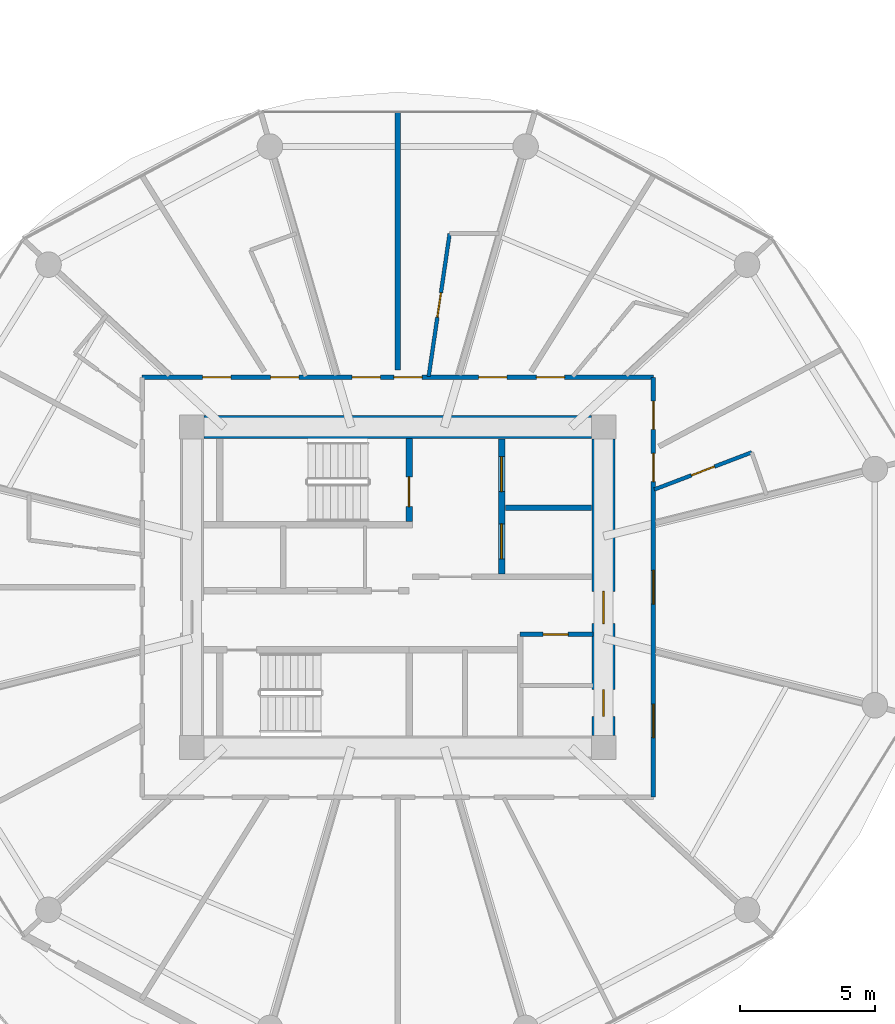
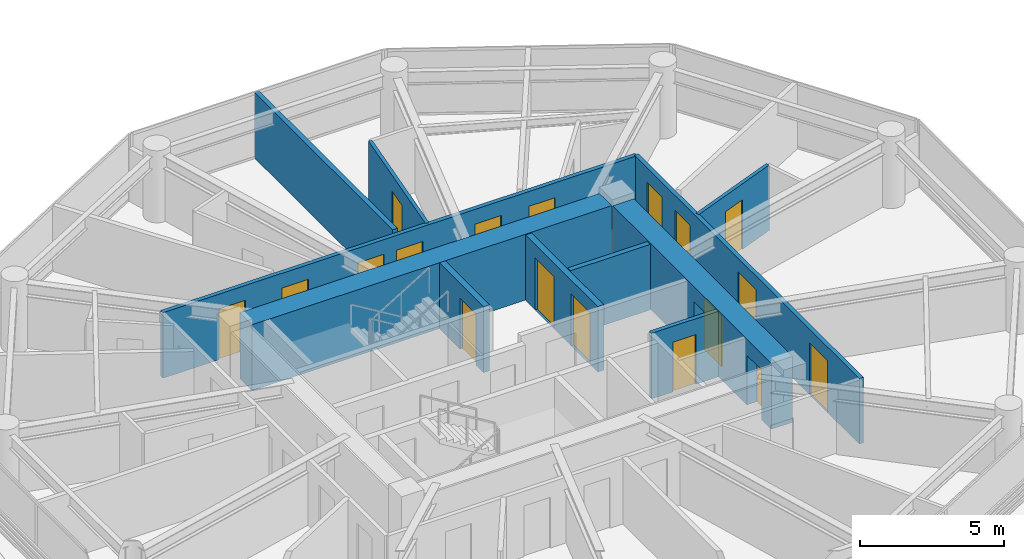
# One storey, part 18 of 28: 18 doors, 11 walls, 18 openings.
"""IFC4 building model written with IfcOpenShell, lengths in metres."""

from ifc_helpers import new_model, si_unit, direction, frame, frame_2d, origin, place, context, subcontext, project, spatial, rectangle, extrude, source, transform, mapped, material, layer, layer_set, type_object, type_shapes, element, fill, save


model = new_model("IFC4")

# Units and contexts
model_context = context("Model", 3, precision=1e-05, world=origin(), true_north=direction((0.0, 1.0)))
body_context = subcontext(model_context, "Body", "Model", "MODEL_VIEW")
ifc_project = project(units=[si_unit("LENGTHUNIT", "METRE"), si_unit("AREAUNIT", "SQUARE_METRE"), si_unit("VOLUMEUNIT", "CUBIC_METRE"), si_unit("PLANEANGLEUNIT", "RADIAN"), si_unit("MASSUNIT", "GRAM", prefix="KILO")], contexts=[model_context])

# Site, building, storey
site_placement = place(None, origin())
site = spatial("IfcSite", under=ifc_project, at=site_placement, CompositionType="ELEMENT")
building_placement = place(site_placement, origin())
building = spatial("IfcBuilding", under=site, at=building_placement, Name="Norrkilde Senior Care Towers", CompositionType="ELEMENT")
storey_placement = place(building_placement, frame((0.0, 0.0, 39.89990234375)))
storey = spatial("IfcBuildingStorey", under=building, at=storey_placement, Name="L11", CompositionType="ELEMENT", Elevation=39.89990234375)

# Wall
ifc_material_1 = material(Name="Concrete C60/75", Category="concrete")
ifc_layer_1 = layer(ifc_material_1, 0.85009765625)
ifc_layer_set_1 = layer_set([ifc_layer_1], Name="Concrete C60/75")
wall_type_1 = type_object("IfcWallType", Name="Core Shear Wall Z1 850", PredefinedType="SHEAR", material=ifc_layer_set_1)
shared_shape_1 = source(origin(), body_context, "Body", "SweptSolid", [
    extrude(rectangle(XDim=14.39990234375, YDim=0.85009765625, at=frame_2d((7.199951171875, 0.0))), origin(), (0.0, 0.0, 1.0), 2.7900390625),
])
wall_1_placement = place(storey_placement, frame((-35.199951171875, 5.949951171875, 0.0), z_axis=(0.0, 0.0, 1.0), x_axis=(1.0, 0.0, 0.0)))
element("IfcWall", 1, at=wall_1_placement, inside=storey, type_object=wall_type_1, Name="L11 Core W North Shear Wall", PredefinedType="SHEAR", context=body_context, shape_type="MappedRepresentation", body=[
    mapped(shared_shape_1, transform((0.0, 0.0, 0.0), x_axis=(1.0, 0.0, 0.0), y_axis=(0.0, 1.0, 0.0), z_axis=(0.0, 0.0, 1.0), scale=1.0)),
])

# Wall, openings, doors
shared_shape_2 = source(origin(), body_context, "Body", "SweptSolid", [
    extrude(rectangle(XDim=11.0, YDim=0.85009765625, at=frame_2d((5.5, 0.0))), origin(), (0.0, 0.0, 1.0), 2.7900390625),
])
type_shapes(wall_type_1, [shared_shape_1, shared_shape_2])
wall_2_placement = place(storey_placement, frame((-20.35009765625, 5.5, 0.0), z_axis=(0.0, 0.0, 1.0), x_axis=(0.0, -1.0, 0.0)))
wall_2 = element("IfcWall", 2, at=wall_2_placement, inside=storey, type_object=wall_type_1, Name="L11 Core W East Shear Wall", PredefinedType="SHEAR", context=body_context, shape_type="MappedRepresentation", body=[
    mapped(shared_shape_2, transform((0.0, 0.0, 0.0), x_axis=(1.0, 0.0, 0.0), y_axis=(0.0, 1.0, 0.0), z_axis=(0.0, 0.0, 1.0), scale=1.0)),
])
opening_1_placement = place(wall_2_placement, frame((5.64990234375, 0.0, 0.0)))
opening_1 = element("IfcOpeningElement", 3, at=opening_1_placement, cuts=wall_2, Name="Opening D-04", PredefinedType="OPENING", context=body_context, shape_type="SweptSolid", body=[
    extrude(rectangle(XDim=1.199951171875, YDim=2.14990234375, at=frame_2d((0.60009765625, 1.074951171875))), frame((0.0, 0.43505859375, 0.0), z_axis=(0.0, -1.0, 0.0), x_axis=(1.0, 0.0, 0.0)), (0.0, 0.0, 1.0), 0.8701171875),
])
opening_2_placement = place(wall_2_placement, frame((9.300048828125, 0.0, 0.0)))
opening_2 = element("IfcOpeningElement", 4, at=opening_2_placement, cuts=wall_2, Name="Opening D-10", PredefinedType="OPENING", context=body_context, shape_type="SweptSolid", body=[
    extrude(rectangle(XDim=1.0, YDim=2.10009765625, at=frame_2d((0.5, 1.050048828125))), frame((0.0, 0.43505859375, 0.0), z_axis=(0.0, -1.0, 0.0), x_axis=(1.0, 0.0, 0.0)), (0.0, 0.0, 1.0), 0.8701171875),
])
ifc_material_2 = material(Name="Galvanised Painted Steel", Category="steel")
door_type_1 = type_object("IfcDoorType", Name="Firefighting Lobby Fire Door 1200x2150", OperationType="NOTDEFINED", PredefinedType="DOOR", material=ifc_material_2)
shared_shape_3 = source(origin(), body_context, "Body", "SweptSolid", [
    extrude(rectangle(XDim=1.199951171875, YDim=2.14990234375, at=frame_2d((0.60009765625, 1.074951171875))), frame((0.0, 0.02490234375, 0.0), z_axis=(0.0, -1.0, 0.0), x_axis=(1.0, 0.0, 0.0)), (0.0, 0.0, 1.0), 0.050048828125),
])
type_shapes(door_type_1, [shared_shape_3])
door_1_placement = place(opening_1_placement, frame((1.199951171875, 0.0, 0.0), z_axis=(0.0, 0.0, 1.0), x_axis=(-1.0, 0.0, 0.0)))
door_1 = element("IfcDoor", 5, at=door_1_placement, inside=storey, type_object=door_type_1, Name="L11 Core W East Portal Door", OperationType="SINGLE_SWING_RIGHT", OverallHeight=2.14990234375, OverallWidth=1.199951171875, PredefinedType="DOOR", context=body_context, shape_type="MappedRepresentation", body=[
    mapped(shared_shape_3, transform((0.0, 0.0, 0.0), x_axis=(1.0, 0.0, 0.0), y_axis=(0.0, 1.0, 0.0), z_axis=(0.0, 0.0, 1.0), scale=1.0)),
])
fill(opening_1, door_1)
door_type_2 = type_object("IfcDoorType", Name="Plant and Riser Rated Door 1000x2100", OperationType="NOTDEFINED", PredefinedType="DOOR", material=ifc_material_2)
shared_shape_4 = source(origin(), body_context, "Body", "SweptSolid", [
    extrude(rectangle(XDim=1.0, YDim=2.10009765625, at=frame_2d((0.5, 1.050048828125))), frame((0.0, 0.02490234375, 0.0), z_axis=(0.0, -1.0, 0.0), x_axis=(1.0, 0.0, 0.0)), (0.0, 0.0, 1.0), 0.050048828125),
])
type_shapes(door_type_2, [shared_shape_4])
door_2_placement = place(opening_2_placement, frame((1.0, 0.0, 0.0), z_axis=(0.0, 0.0, 1.0), x_axis=(-1.0, 0.0, 0.0)))
door_2 = element("IfcDoor", 6, at=door_2_placement, inside=storey, type_object=door_type_2, Name="L11 Ventilation Riser W Door", OperationType="SINGLE_SWING_RIGHT", OverallHeight=2.10009765625, OverallWidth=1.0, PredefinedType="DOOR", context=body_context, shape_type="MappedRepresentation", body=[
    mapped(shared_shape_4, transform((0.0, 0.0, 0.0), x_axis=(1.0, 0.0, 0.0), y_axis=(0.0, 1.0, 0.0), z_axis=(0.0, 0.0, 1.0), scale=1.0)),
])
fill(opening_2, door_2)

# Wall, opening, door
ifc_material_3 = material(Name="Concrete C45/55", Category="concrete")
ifc_layer_2 = layer(ifc_material_3, 0.239990234375)
ifc_layer_set_2 = layer_set([ifc_layer_2], Name="Concrete C45/55")
wall_type_2 = type_object("IfcWallType", Name="Shaft and Stair Enclosure Wall 240", PredefinedType="PARTITIONING", material=ifc_layer_set_2)
shared_shape_5 = source(origin(), body_context, "Body", "SweptSolid", [
    extrude(rectangle(XDim=3.074951171875, YDim=0.239990234375, at=frame_2d((1.53759765625, 0.0))), origin(), (0.0, 0.0, 1.0), 2.7900390625),
])
type_shapes(wall_type_2, [shared_shape_5])
wall_3_placement = place(storey_placement, frame((-27.580078125, 2.449951171875, 0.0), z_axis=(0.0, 0.0, 1.0), x_axis=(0.0, 1.0, 0.0)))
wall_3 = element("IfcWall", 7, at=wall_3_placement, inside=storey, type_object=wall_type_2, Name="WL-INT-L11-W-ST1E", PredefinedType="PARTITIONING", context=body_context, shape_type="MappedRepresentation", body=[
    mapped(shared_shape_5, transform((0.0, 0.0, 0.0), x_axis=(1.0, 0.0, 0.0), y_axis=(0.0, 1.0, 0.0), z_axis=(0.0, 0.0, 1.0), scale=1.0)),
])
opening_3_placement = place(wall_3_placement, frame((0.550048828125, 0.0, 0.0)))
opening_3 = element("IfcOpeningElement", 8, at=opening_3_placement, cuts=wall_3, Name="Opening D-03", PredefinedType="OPENING", context=body_context, shape_type="SweptSolid", body=[
    extrude(rectangle(XDim=1.10009765625, YDim=2.14990234375, at=frame_2d((0.550048828125, 1.074951171875))), frame((0.0, 0.1298828125, 0.0), z_axis=(0.0, -1.0, 0.0), x_axis=(1.0, 0.0, 0.0)), (0.0, 0.0, 1.0), 0.260009765625),
])
door_type_3 = type_object("IfcDoorType", Name="Stairwell Protected Fire Door 1100x2150", OperationType="NOTDEFINED", PredefinedType="DOOR", material=ifc_material_2)
shared_shape_6 = source(origin(), body_context, "Body", "SweptSolid", [
    extrude(rectangle(XDim=1.10009765625, YDim=2.14990234375, at=frame_2d((0.550048828125, 1.074951171875))), frame((0.0, 0.02490234375, 0.0), z_axis=(0.0, -1.0, 0.0), x_axis=(1.0, 0.0, 0.0)), (0.0, 0.0, 1.0), 0.050048828125),
])
type_shapes(door_type_3, [shared_shape_6])
door_3_placement = place(opening_3_placement, origin())
door_3 = element("IfcDoor", 9, at=door_3_placement, inside=storey, type_object=door_type_3, Name="L11 Stair W1 Fire Door", OperationType="SINGLE_SWING_LEFT", OverallHeight=2.14990234375, OverallWidth=1.10009765625, PredefinedType="DOOR", context=body_context, shape_type="MappedRepresentation", body=[
    mapped(shared_shape_6, transform((0.0, 0.0, 0.0), x_axis=(1.0, 0.0, 0.0), y_axis=(0.0, 1.0, 0.0), z_axis=(0.0, 0.0, 1.0), scale=1.0)),
])
fill(opening_3, door_3)

# Wall, openings, doors
ifc_layer_3 = layer(ifc_material_3, 0.239990234375)
ifc_layer_set_3 = layer_set([ifc_layer_3], Name="Concrete C45/55")
wall_type_3 = type_object("IfcWallType", Name="Lift and Plant Rated Enclosure Partition 240", PredefinedType="PARTITIONING", material=ifc_layer_set_3)
shared_shape_7 = source(origin(), body_context, "Body", "SweptSolid", [
    extrude(rectangle(XDim=5.0, YDim=0.239990234375, at=frame_2d((2.5, 0.0))), origin(), (0.0, 0.0, 1.0), 2.775146484375),
])
type_shapes(wall_type_3, [shared_shape_7])
wall_4_placement = place(storey_placement, frame((-24.139892578125, 0.5, 0.0), z_axis=(0.0, 0.0, 1.0), x_axis=(0.0, 1.0, 0.0)))
wall_4 = element("IfcWall", 10, at=wall_4_placement, inside=storey, type_object=wall_type_3, Name="WL-INT-L11-W-FFLE", PredefinedType="PARTITIONING", context=body_context, shape_type="MappedRepresentation", body=[
    mapped(shared_shape_7, transform((0.0, 0.0, 0.0), x_axis=(1.0, 0.0, 0.0), y_axis=(0.0, 1.0, 0.0), z_axis=(0.0, 0.0, 1.0), scale=1.0)),
])
opening_4_placement = place(wall_4_placement, frame((3.050048828125, 0.0, 0.0)))
opening_4 = element("IfcOpeningElement", 11, at=opening_4_placement, cuts=wall_4, Name="Opening LD-02", PredefinedType="OPENING", context=body_context, shape_type="SweptSolid", body=[
    extrude(rectangle(XDim=1.300048828125, YDim=2.199951171875, at=frame_2d((0.64990234375, 1.10009765625))), frame((0.0, 0.1298828125, 0.0), z_axis=(0.0, -1.0, 0.0), x_axis=(1.0, 0.0, 0.0)), (0.0, 0.0, 1.0), 0.260009765625),
])
opening_5_placement = place(wall_4_placement, frame((0.550048828125, 0.0, 0.0)))
opening_5 = element("IfcOpeningElement", 12, at=opening_5_placement, cuts=wall_4, Name="Opening LD-02", PredefinedType="OPENING", context=body_context, shape_type="SweptSolid", body=[
    extrude(rectangle(XDim=1.300048828125, YDim=2.199951171875, at=frame_2d((0.64990234375, 1.10009765625))), frame((0.0, 0.1298828125, 0.0), z_axis=(0.0, -1.0, 0.0), x_axis=(1.0, 0.0, 0.0)), (0.0, 0.0, 1.0), 0.260009765625),
])
ifc_material_4 = material(Name="Stainless Steel", Category="steel")
door_type_4 = type_object("IfcDoorType", Name="Stretcher and FFL Landing Sliding Door 1300x2200", OperationType="NOTDEFINED", PredefinedType="DOOR", material=ifc_material_4)
shared_shape_8 = source(origin(), body_context, "Body", "SweptSolid", [
    extrude(rectangle(XDim=1.300048828125, YDim=2.199951171875, at=frame_2d((0.64990234375, 1.10009765625))), frame((0.0, 0.02490234375, 0.0), z_axis=(0.0, -1.0, 0.0), x_axis=(1.0, 0.0, 0.0)), (0.0, 0.0, 1.0), 0.050048828125),
])
type_shapes(door_type_4, [shared_shape_8])
door_4_placement = place(opening_4_placement, origin())
door_4 = element("IfcDoor", 13, at=door_4_placement, inside=storey, type_object=door_type_4, Name="L11 Firefighting Lift W1 Landing Door", OperationType="SLIDING_TO_LEFT", OverallHeight=2.199951171875, OverallWidth=1.300048828125, PredefinedType="DOOR", context=body_context, shape_type="MappedRepresentation", body=[
    mapped(shared_shape_8, transform((0.0, 0.0, 0.0), x_axis=(1.0, 0.0, 0.0), y_axis=(0.0, 1.0, 0.0), z_axis=(0.0, 0.0, 1.0), scale=1.0)),
])
fill(opening_4, door_4)
door_5_placement = place(opening_5_placement, origin())
door_5 = element("IfcDoor", 14, at=door_5_placement, inside=storey, type_object=door_type_4, Name="L11 Stretcher Lift W1 Landing Door", OperationType="SLIDING_TO_RIGHT", OverallHeight=2.199951171875, OverallWidth=1.300048828125, PredefinedType="DOOR", context=body_context, shape_type="MappedRepresentation", body=[
    mapped(shared_shape_8, transform((0.0, 0.0, 0.0), x_axis=(1.0, 0.0, 0.0), y_axis=(0.0, 1.0, 0.0), z_axis=(0.0, 0.0, 1.0), scale=1.0)),
])
fill(opening_5, door_5)

# Wall
ifc_layer_4 = layer(ifc_material_3, 0.199951171875)
ifc_layer_set_4 = layer_set([ifc_layer_4], Name="Concrete C45/55")
wall_type_4 = type_object("IfcWallType", Name="Shaft Division and Plant Partition 200", PredefinedType="PARTITIONING", material=ifc_layer_set_4)
shared_shape_9 = source(origin(), body_context, "Body", "SweptSolid", [
    extrude(rectangle(XDim=3.199951171875, YDim=0.199951171875, at=frame_2d((1.60009765625, 0.0))), origin(), (0.0, 0.0, 1.0), 2.775146484375),
])
type_shapes(wall_type_4, [shared_shape_9])
wall_5_placement = place(storey_placement, frame((-24.0, 2.949951171875, 0.0), z_axis=(0.0, 0.0, 1.0), x_axis=(1.0, 0.0, 0.0)))
element("IfcWall", 15, at=wall_5_placement, inside=storey, type_object=wall_type_4, Name="WL-INT-L11-W-FFLDIV", PredefinedType="PARTITIONING", context=body_context, shape_type="MappedRepresentation", body=[
    mapped(shared_shape_9, transform((0.0, 0.0, 0.0), x_axis=(1.0, 0.0, 0.0), y_axis=(0.0, 1.0, 0.0), z_axis=(0.0, 0.0, 1.0), scale=1.0)),
])

# Wall, opening, door
ifc_material_5 = material(Name="Gypsum Acoustic Board")
ifc_layer_5 = layer(ifc_material_5, 0.1650390625)
ifc_layer_set_5 = layer_set([ifc_layer_5], Name="Gypsum Acoustic Board")
wall_type_5 = type_object("IfcWallType", Name="Corridor Rated Partition 165", PredefinedType="PARTITIONING", material=ifc_layer_set_5)
shared_shape_10 = source(origin(), body_context, "Body", "SweptSolid", [
    extrude(rectangle(XDim=2.699951171875, YDim=0.1650390625, at=frame_2d((1.35009765625, 0.0))), origin(), (0.0, 0.0, 1.0), 2.775146484375),
])
wall_6_placement = place(storey_placement, frame((-23.449951171875, -1.75, 0.0), z_axis=(0.0, 0.0, 1.0), x_axis=(1.0, 0.0, 0.0)))
wall_6 = element("IfcWall", 16, at=wall_6_placement, inside=storey, type_object=wall_type_5, Name="WL-INT-L11-W-CSN", PredefinedType="PARTITIONING", context=body_context, shape_type="MappedRepresentation", body=[
    mapped(shared_shape_10, transform((0.0, 0.0, 0.0), x_axis=(1.0, 0.0, 0.0), y_axis=(0.0, 1.0, 0.0), z_axis=(0.0, 0.0, 1.0), scale=1.0)),
])
opening_6_placement = place(wall_6_placement, frame((0.85009765625, 0.0, 0.0)))
opening_6 = element("IfcOpeningElement", 17, at=opening_6_placement, cuts=wall_6, Name="Opening D-12", PredefinedType="OPENING", context=body_context, shape_type="SweptSolid", body=[
    extrude(rectangle(XDim=0.925048828125, YDim=2.10009765625, at=frame_2d((0.46240234375, 1.050048828125))), frame((0.0, 0.092529296875, 0.0), z_axis=(0.0, -1.0, 0.0), x_axis=(1.0, 0.0, 0.0)), (0.0, 0.0, 1.0), 0.18505859375),
])
door_type_5 = type_object("IfcDoorType", Name="Core Wet Room Rated Door 925x2100", OperationType="NOTDEFINED", PredefinedType="DOOR", material=ifc_material_2)
shared_shape_11 = source(origin(), body_context, "Body", "SweptSolid", [
    extrude(rectangle(XDim=0.925048828125, YDim=2.10009765625, at=frame_2d((0.46240234375, 1.050048828125))), frame((0.0, 0.02490234375, 0.0), z_axis=(0.0, -1.0, 0.0), x_axis=(1.0, 0.0, 0.0)), (0.0, 0.0, 1.0), 0.050048828125),
])
type_shapes(door_type_5, [shared_shape_11])
door_6_placement = place(opening_6_placement, origin())
door_6 = element("IfcDoor", 18, at=door_6_placement, inside=storey, type_object=door_type_5, Name="L11 Staff WC W Door", OperationType="SINGLE_SWING_LEFT", OverallHeight=2.10009765625, OverallWidth=0.925048828125, PredefinedType="DOOR", context=body_context, shape_type="MappedRepresentation", body=[
    mapped(shared_shape_11, transform((0.0, 0.0, 0.0), x_axis=(1.0, 0.0, 0.0), y_axis=(0.0, 1.0, 0.0), z_axis=(0.0, 0.0, 1.0), scale=1.0)),
])
fill(opening_6, door_6)

# Wall, openings, doors
shared_shape_12 = source(origin(), body_context, "Body", "SweptSolid", [
    extrude(rectangle(XDim=19.0, YDim=0.1650390625, at=frame_2d((9.5, 0.0))), origin(), (0.0, 0.0, 1.0), 2.775146484375),
])
wall_7_placement = place(storey_placement, frame((-37.5, 7.800048828125, 0.0), z_axis=(0.0, 0.0, 1.0), x_axis=(1.0, 0.0, 0.0)))
wall_7 = element("IfcWall", 19, at=wall_7_placement, inside=storey, type_object=wall_type_5, Name="WL-INT-L11-W-CRW-N-0", PredefinedType="PARTITIONING", context=body_context, shape_type="MappedRepresentation", body=[
    mapped(shared_shape_12, transform((0.0, 0.0, 0.0), x_axis=(1.0, 0.0, 0.0), y_axis=(0.0, 1.0, 0.0), z_axis=(0.0, 0.0, 1.0), scale=1.0)),
])
opening_7_placement = place(wall_7_placement, frame((4.77294921875, 0.0, 0.0)))
opening_7 = element("IfcOpeningElement", 20, at=opening_7_placement, cuts=wall_7, Name="Opening D-06", PredefinedType="OPENING", context=body_context, shape_type="SweptSolid", body=[
    extrude(rectangle(XDim=1.050048828125, YDim=2.14990234375, at=frame_2d((0.52490234375, 1.074951171875))), frame((0.0, 0.092529296875, 0.0), z_axis=(0.0, -1.0, 0.0), x_axis=(1.0, 0.0, 0.0)), (0.0, 0.0, 1.0), 0.18505859375),
])
opening_8_placement = place(wall_7_placement, frame((2.251220703125, 0.0, 0.0)))
opening_8 = element("IfcOpeningElement", 21, at=opening_8_placement, cuts=wall_7, Name="Opening D-06", PredefinedType="OPENING", context=body_context, shape_type="SweptSolid", body=[
    extrude(rectangle(XDim=1.050048828125, YDim=2.14990234375, at=frame_2d((0.52490234375, 1.074951171875))), frame((0.0, 0.092529296875, 0.0), z_axis=(0.0, -1.0, 0.0), x_axis=(1.0, 0.0, 0.0)), (0.0, 0.0, 1.0), 0.18505859375),
])
opening_9_placement = place(wall_7_placement, frame((14.6533203125, 0.0, 0.0)))
opening_9 = element("IfcOpeningElement", 22, at=opening_9_placement, cuts=wall_7, Name="Opening D-06", PredefinedType="OPENING", context=body_context, shape_type="SweptSolid", body=[
    extrude(rectangle(XDim=1.050048828125, YDim=2.14990234375, at=frame_2d((0.52490234375, 1.074951171875))), frame((0.0, 0.092529296875, 0.0), z_axis=(0.0, -1.0, 0.0), x_axis=(1.0, 0.0, 0.0)), (0.0, 0.0, 1.0), 0.18505859375),
])
opening_10_placement = place(wall_7_placement, frame((12.499755859375, 0.0, 0.0)))
opening_10 = element("IfcOpeningElement", 23, at=opening_10_placement, cuts=wall_7, Name="Opening D-06", PredefinedType="OPENING", context=body_context, shape_type="SweptSolid", body=[
    extrude(rectangle(XDim=1.050048828125, YDim=2.14990234375, at=frame_2d((0.52490234375, 1.074951171875))), frame((0.0, 0.092529296875, 0.0), z_axis=(0.0, -1.0, 0.0), x_axis=(1.0, 0.0, 0.0)), (0.0, 0.0, 1.0), 0.18505859375),
])
opening_11_placement = place(wall_7_placement, frame((9.351806640625, 0.0, 0.0)))
opening_11 = element("IfcOpeningElement", 24, at=opening_11_placement, cuts=wall_7, Name="Opening D-06", PredefinedType="OPENING", context=body_context, shape_type="SweptSolid", body=[
    extrude(rectangle(XDim=1.050048828125, YDim=2.14990234375, at=frame_2d((0.52490234375, 1.074951171875))), frame((0.0, 0.092529296875, 0.0), z_axis=(0.0, -1.0, 0.0), x_axis=(1.0, 0.0, 0.0)), (0.0, 0.0, 1.0), 0.18505859375),
])
opening_12_placement = place(wall_7_placement, frame((7.806396484375, 0.0, 0.0)))
opening_12 = element("IfcOpeningElement", 25, at=opening_12_placement, cuts=wall_7, Name="Opening D-06", PredefinedType="OPENING", context=body_context, shape_type="SweptSolid", body=[
    extrude(rectangle(XDim=1.050048828125, YDim=2.14990234375, at=frame_2d((0.52490234375, 1.074951171875))), frame((0.0, 0.092529296875, 0.0), z_axis=(0.0, -1.0, 0.0), x_axis=(1.0, 0.0, 0.0)), (0.0, 0.0, 1.0), 0.18505859375),
])
ifc_material_6 = material(Name="Nordic Ash Timber", Category="wood")
door_type_6 = type_object("IfcDoorType", Name="Apartment Entrance Fire Door 1050x2150", OperationType="NOTDEFINED", PredefinedType="DOOR", material=ifc_material_6)
shared_shape_13 = source(origin(), body_context, "Body", "SweptSolid", [
    extrude(rectangle(XDim=1.050048828125, YDim=2.14990234375, at=frame_2d((0.52490234375, 1.074951171875))), frame((0.0, 0.02490234375, 0.0), z_axis=(0.0, -1.0, 0.0), x_axis=(1.0, 0.0, 0.0)), (0.0, 0.0, 1.0), 0.050048828125),
])
type_shapes(door_type_6, [shared_shape_13])
door_7_placement = place(opening_7_placement, frame((1.050048828125, 0.0, 0.0), z_axis=(0.0, 0.0, 1.0), x_axis=(-1.0, 0.0, 0.0)))
door_7 = element("IfcDoor", 26, at=door_7_placement, inside=storey, type_object=door_type_6, Name="L11 Care Suite 1103A Entrance Door", OperationType="SINGLE_SWING_LEFT", OverallHeight=2.14990234375, OverallWidth=1.050048828125, PredefinedType="DOOR", context=body_context, shape_type="MappedRepresentation", body=[
    mapped(shared_shape_13, transform((0.0, 0.0, 0.0), x_axis=(1.0, 0.0, 0.0), y_axis=(0.0, 1.0, 0.0), z_axis=(0.0, 0.0, 1.0), scale=1.0)),
])
fill(opening_7, door_7)
door_8_placement = place(opening_8_placement, frame((1.050048828125, 0.0, 0.0), z_axis=(0.0, 0.0, 1.0), x_axis=(-1.0, 0.0, 0.0)))
door_8 = element("IfcDoor", 27, at=door_8_placement, inside=storey, type_object=door_type_6, Name="L11 Therapy Day Lounge 03 Door", OperationType="SINGLE_SWING_LEFT", OverallHeight=2.14990234375, OverallWidth=1.050048828125, PredefinedType="DOOR", context=body_context, shape_type="MappedRepresentation", body=[
    mapped(shared_shape_13, transform((0.0, 0.0, 0.0), x_axis=(1.0, 0.0, 0.0), y_axis=(0.0, 1.0, 0.0), z_axis=(0.0, 0.0, 1.0), scale=1.0)),
])
fill(opening_8, door_8)
door_9_placement = place(opening_9_placement, frame((1.050048828125, 0.0, 0.0), z_axis=(0.0, 0.0, 1.0), x_axis=(-1.0, 0.0, 0.0)))
door_9 = element("IfcDoor", 28, at=door_9_placement, inside=storey, type_object=door_type_6, Name="L11 Care Suite 1101A Entrance Door", OperationType="SINGLE_SWING_LEFT", OverallHeight=2.14990234375, OverallWidth=1.050048828125, PredefinedType="DOOR", context=body_context, shape_type="MappedRepresentation", body=[
    mapped(shared_shape_13, transform((0.0, 0.0, 0.0), x_axis=(1.0, 0.0, 0.0), y_axis=(0.0, 1.0, 0.0), z_axis=(0.0, 0.0, 1.0), scale=1.0)),
])
fill(opening_9, door_9)
door_10_placement = place(opening_10_placement, frame((1.050048828125, 0.0, 0.0), z_axis=(0.0, 0.0, 1.0), x_axis=(-1.0, 0.0, 0.0)))
door_10 = element("IfcDoor", 29, at=door_10_placement, inside=storey, type_object=door_type_6, Name="L11 Therapy Day Lounge 01 Door", OperationType="SINGLE_SWING_LEFT", OverallHeight=2.14990234375, OverallWidth=1.050048828125, PredefinedType="DOOR", context=body_context, shape_type="MappedRepresentation", body=[
    mapped(shared_shape_13, transform((0.0, 0.0, 0.0), x_axis=(1.0, 0.0, 0.0), y_axis=(0.0, 1.0, 0.0), z_axis=(0.0, 0.0, 1.0), scale=1.0)),
])
fill(opening_10, door_10)
door_11_placement = place(opening_11_placement, frame((1.050048828125, 0.0, 0.0), z_axis=(0.0, 0.0, 1.0), x_axis=(-1.0, 0.0, 0.0)))
door_11 = element("IfcDoor", 30, at=door_11_placement, inside=storey, type_object=door_type_6, Name="L11 Care Suite 1102A Entrance Door", OperationType="SINGLE_SWING_RIGHT", OverallHeight=2.14990234375, OverallWidth=1.050048828125, PredefinedType="DOOR", context=body_context, shape_type="MappedRepresentation", body=[
    mapped(shared_shape_13, transform((0.0, 0.0, 0.0), x_axis=(1.0, 0.0, 0.0), y_axis=(0.0, 1.0, 0.0), z_axis=(0.0, 0.0, 1.0), scale=1.0)),
])
fill(opening_11, door_11)
door_12_placement = place(opening_12_placement, frame((1.050048828125, 0.0, 0.0), z_axis=(0.0, 0.0, 1.0), x_axis=(-1.0, 0.0, 0.0)))
door_12 = element("IfcDoor", 31, at=door_12_placement, inside=storey, type_object=door_type_6, Name="L11 Therapy Day Lounge 02 Door", OperationType="SINGLE_SWING_RIGHT", OverallHeight=2.14990234375, OverallWidth=1.050048828125, PredefinedType="DOOR", context=body_context, shape_type="MappedRepresentation", body=[
    mapped(shared_shape_13, transform((0.0, 0.0, 0.0), x_axis=(1.0, 0.0, 0.0), y_axis=(0.0, 1.0, 0.0), z_axis=(0.0, 0.0, 1.0), scale=1.0)),
])
fill(opening_12, door_12)

shared_shape_14 = source(origin(), body_context, "Body", "SweptSolid", [
    extrude(rectangle(XDim=15.60009765625, YDim=0.1650390625, at=frame_2d((7.800048828125, 0.0))), origin(), (0.0, 0.0, 1.0), 2.775146484375),
])
type_shapes(wall_type_5, [shared_shape_10, shared_shape_12, shared_shape_14])
wall_8_placement = place(storey_placement, frame((-18.5, 7.800048828125, 0.0), z_axis=(0.0, 0.0, 1.0), x_axis=(0.0, -1.0, 0.0)))
wall_8 = element("IfcWall", 32, at=wall_8_placement, inside=storey, type_object=wall_type_5, Name="WL-INT-L11-W-CRW-E-0", PredefinedType="PARTITIONING", context=body_context, shape_type="MappedRepresentation", body=[
    mapped(shared_shape_14, transform((0.0, 0.0, 0.0), x_axis=(1.0, 0.0, 0.0), y_axis=(0.0, 1.0, 0.0), z_axis=(0.0, 0.0, 1.0), scale=1.0)),
])
opening_13_placement = place(wall_8_placement, frame((12.141357421875, 0.0, 0.0)))
opening_13 = element("IfcOpeningElement", 33, at=opening_13_placement, cuts=wall_8, Name="Opening D-05", PredefinedType="OPENING", context=body_context, shape_type="SweptSolid", body=[
    extrude(rectangle(XDim=1.25, YDim=2.199951171875, at=frame_2d((0.625, 1.10009765625))), frame((0.0, 0.092529296875, 0.0), z_axis=(0.0, -1.0, 0.0), x_axis=(1.0, 0.0, 0.0)), (0.0, 0.0, 1.0), 0.18505859375),
])
opening_14_placement = place(wall_8_placement, frame((7.175048828125, 0.0, 0.0)))
opening_14 = element("IfcOpeningElement", 34, at=opening_14_placement, cuts=wall_8, Name="Opening D-05", PredefinedType="OPENING", context=body_context, shape_type="SweptSolid", body=[
    extrude(rectangle(XDim=1.25, YDim=2.199951171875, at=frame_2d((0.625, 1.10009765625))), frame((0.0, 0.092529296875, 0.0), z_axis=(0.0, -1.0, 0.0), x_axis=(1.0, 0.0, 0.0)), (0.0, 0.0, 1.0), 0.18505859375),
])
opening_15_placement = place(wall_8_placement, frame((2.826416015625, 0.0, 0.0)))
opening_15 = element("IfcOpeningElement", 35, at=opening_15_placement, cuts=wall_8, Name="Opening D-06", PredefinedType="OPENING", context=body_context, shape_type="SweptSolid", body=[
    extrude(rectangle(XDim=1.050048828125, YDim=2.14990234375, at=frame_2d((0.52490234375, 1.074951171875))), frame((0.0, 0.092529296875, 0.0), z_axis=(0.0, -1.0, 0.0), x_axis=(1.0, 0.0, 0.0)), (0.0, 0.0, 1.0), 0.18505859375),
])
opening_16_placement = place(wall_8_placement, frame((0.88134765625, 0.0, 0.0)))
opening_16 = element("IfcOpeningElement", 36, at=opening_16_placement, cuts=wall_8, Name="Opening D-06", PredefinedType="OPENING", context=body_context, shape_type="SweptSolid", body=[
    extrude(rectangle(XDim=1.050048828125, YDim=2.14990234375, at=frame_2d((0.52490234375, 1.074951171875))), frame((0.0, 0.092529296875, 0.0), z_axis=(0.0, -1.0, 0.0), x_axis=(1.0, 0.0, 0.0)), (0.0, 0.0, 1.0), 0.18505859375),
])
door_type_7 = type_object("IfcDoorType", Name="Care Bedroom Bariatric Door 1250x2200", OperationType="NOTDEFINED", PredefinedType="DOOR", material=ifc_material_6)
shared_shape_15 = source(origin(), body_context, "Body", "SweptSolid", [
    extrude(rectangle(XDim=1.25, YDim=2.199951171875, at=frame_2d((0.625, 1.10009765625))), frame((0.0, 0.02490234375, 0.0), z_axis=(0.0, -1.0, 0.0), x_axis=(1.0, 0.0, 0.0)), (0.0, 0.0, 1.0), 0.050048828125),
])
type_shapes(door_type_7, [shared_shape_15])
door_13_placement = place(opening_13_placement, frame((1.25, 0.0, 0.0), z_axis=(0.0, 0.0, 1.0), x_axis=(-1.0, 0.0, 0.0)))
door_13 = element("IfcDoor", 37, at=door_13_placement, inside=storey, type_object=door_type_7, Name="L11 Resident Therapeutic Day Lounge Door", OperationType="SINGLE_SWING_LEFT", OverallHeight=2.199951171875, OverallWidth=1.25, PredefinedType="DOOR", context=body_context, shape_type="MappedRepresentation", body=[
    mapped(shared_shape_15, transform((0.0, 0.0, 0.0), x_axis=(1.0, 0.0, 0.0), y_axis=(0.0, 1.0, 0.0), z_axis=(0.0, 0.0, 1.0), scale=1.0)),
])
fill(opening_13, door_13)
door_14_placement = place(opening_14_placement, frame((1.25, 0.0, 0.0), z_axis=(0.0, 0.0, 1.0), x_axis=(-1.0, 0.0, 0.0)))
door_14 = element("IfcDoor", 38, at=door_14_placement, inside=storey, type_object=door_type_7, Name="L11 Household Therapeutic Kitchen Door", OperationType="SINGLE_SWING_RIGHT", OverallHeight=2.199951171875, OverallWidth=1.25, PredefinedType="DOOR", context=body_context, shape_type="MappedRepresentation", body=[
    mapped(shared_shape_15, transform((0.0, 0.0, 0.0), x_axis=(1.0, 0.0, 0.0), y_axis=(0.0, 1.0, 0.0), z_axis=(0.0, 0.0, 1.0), scale=1.0)),
])
fill(opening_14, door_14)
door_15_placement = place(opening_15_placement, frame((1.050048828125, 0.0, 0.0), z_axis=(0.0, 0.0, 1.0), x_axis=(-1.0, 0.0, 0.0)))
door_15 = element("IfcDoor", 39, at=door_15_placement, inside=storey, type_object=door_type_6, Name="L11 Care Suite 1100A Entrance Door", OperationType="SINGLE_SWING_RIGHT", OverallHeight=2.14990234375, OverallWidth=1.050048828125, PredefinedType="DOOR", context=body_context, shape_type="MappedRepresentation", body=[
    mapped(shared_shape_13, transform((0.0, 0.0, 0.0), x_axis=(1.0, 0.0, 0.0), y_axis=(0.0, 1.0, 0.0), z_axis=(0.0, 0.0, 1.0), scale=1.0)),
])
fill(opening_15, door_15)
door_16_placement = place(opening_16_placement, frame((1.050048828125, 0.0, 0.0), z_axis=(0.0, 0.0, 1.0), x_axis=(-1.0, 0.0, 0.0)))
door_16 = element("IfcDoor", 40, at=door_16_placement, inside=storey, type_object=door_type_6, Name="L11 Therapy Day Lounge 00 Door", OperationType="SINGLE_SWING_RIGHT", OverallHeight=2.14990234375, OverallWidth=1.050048828125, PredefinedType="DOOR", context=body_context, shape_type="MappedRepresentation", body=[
    mapped(shared_shape_13, transform((0.0, 0.0, 0.0), x_axis=(1.0, 0.0, 0.0), y_axis=(0.0, 1.0, 0.0), z_axis=(0.0, 0.0, 1.0), scale=1.0)),
])
fill(opening_16, door_16)

# Wall, opening, door
ifc_layer_6 = layer(ifc_material_5, 0.139892578125)
ifc_layer_set_6 = layer_set([ifc_layer_6], Name="Gypsum Acoustic Board")
wall_type_6 = type_object("IfcWallType", Name="En-suite Wet Room Wall 140", PredefinedType="PARTITIONING", material=ifc_layer_set_6)
shared_shape_16 = source(origin(), body_context, "Body", "SweptSolid", [
    extrude(rectangle(XDim=3.8740234375, YDim=0.139892578125, at=frame_2d((1.93701171875, 0.0))), origin(), (0.0, 0.0, 1.0), 2.775146484375),
])
wall_9_placement = place(storey_placement, frame((-18.469970703125, 3.631591796875, 0.0), z_axis=(0.0, 0.0, 1.0), x_axis=(0.934461775659, 0.35606346321, 0.0)))
wall_9 = element("IfcWall", 41, at=wall_9_placement, inside=storey, type_object=wall_type_6, Name="WL-INT-L11-W-ES-00A", PredefinedType="PARTITIONING", context=body_context, shape_type="MappedRepresentation", body=[
    mapped(shared_shape_16, transform((0.0, 0.0, 0.0), x_axis=(1.0, 0.0, 0.0), y_axis=(0.0, 1.0, 0.0), z_axis=(0.0, 0.0, 1.0), scale=1.0)),
])
opening_17_placement = place(wall_9_placement, frame((1.47705078125, 0.0, 0.0)))
opening_17 = element("IfcOpeningElement", 42, at=opening_17_placement, cuts=wall_9, Name="Opening D-08", PredefinedType="OPENING", context=body_context, shape_type="SweptSolid", body=[
    extrude(rectangle(XDim=0.919921875, YDim=2.10009765625, at=frame_2d((0.4599609375, 1.050048828125))), frame((0.0, 0.079833984375, 0.0), z_axis=(0.0, -1.0, 0.0), x_axis=(1.0, 0.0, 0.0)), (0.0, 0.0, 1.0), 0.159912109375),
])
door_type_8 = type_object("IfcDoorType", Name="Accessible Wet Room Door 920x2100", OperationType="NOTDEFINED", PredefinedType="DOOR", material=ifc_material_6)
shared_shape_17 = source(origin(), body_context, "Body", "SweptSolid", [
    extrude(rectangle(XDim=0.919921875, YDim=2.10009765625, at=frame_2d((0.4599609375, 1.050048828125))), frame((0.0, 0.02490234375, 0.0), z_axis=(0.0, -1.0, 0.0), x_axis=(1.0, 0.0, 0.0)), (0.0, 0.0, 1.0), 0.050048828125),
])
type_shapes(door_type_8, [shared_shape_17])
door_17_placement = place(opening_17_placement, origin())
door_17 = element("IfcDoor", 43, at=door_17_placement, inside=storey, type_object=door_type_8, Name="L11 Care Suite 1100A Bathroom Door", OperationType="SINGLE_SWING_LEFT", OverallHeight=2.10009765625, OverallWidth=0.919921875, PredefinedType="DOOR", context=body_context, shape_type="MappedRepresentation", body=[
    mapped(shared_shape_17, transform((0.0, 0.0, 0.0), x_axis=(1.0, 0.0, 0.0), y_axis=(0.0, 1.0, 0.0), z_axis=(0.0, 0.0, 1.0), scale=1.0)),
])
fill(opening_17, door_17)

# Wall
ifc_layer_7 = layer(ifc_material_5, 0.18994140625)
ifc_layer_set_7 = layer_set([ifc_layer_7], Name="Gypsum Acoustic Board")
wall_type_7 = type_object("IfcWallType", Name="Unit Demising Acoustic Wall 190", PredefinedType="PARTITIONING", material=ifc_layer_set_7)
shared_shape_18 = source(origin(), body_context, "Body", "SweptSolid", [
    extrude(rectangle(XDim=9.6005859375, YDim=0.18994140625, at=frame_2d((4.80029296875, 0.0))), origin(), (0.0, 0.0, 1.0), 2.775146484375),
])
type_shapes(wall_type_7, [shared_shape_18])
wall_10_placement = place(storey_placement, frame((-28.0, 8.075927734375, 0.0), z_axis=(0.0, 0.0, 1.0), x_axis=(0.0, 1.0, 0.0)))
element("IfcWall", 44, at=wall_10_placement, inside=storey, type_object=wall_type_7, Name="WL-INT-L11-W-CMID-02", PredefinedType="PARTITIONING", context=body_context, shape_type="MappedRepresentation", body=[
    mapped(shared_shape_18, transform((0.0, 0.0, 0.0), x_axis=(1.0, 0.0, 0.0), y_axis=(0.0, 1.0, 0.0), z_axis=(0.0, 0.0, 1.0), scale=1.0)),
])

# Wall, opening, door
shared_shape_19 = source(origin(), body_context, "Body", "SweptSolid", [
    extrude(rectangle(XDim=5.36962890625, YDim=0.139892578125, at=frame_2d((2.684814453125, 0.0))), origin(), (0.0, 0.0, 1.0), 2.775146484375),
])
type_shapes(wall_type_6, [shared_shape_16, shared_shape_19])
wall_11_placement = place(storey_placement, frame((-26.851318359375, 7.830078125, 0.0), z_axis=(0.0, 0.0, 1.0), x_axis=(0.145131397853, 0.989412389935, 0.0)))
wall_11 = element("IfcWall", 45, at=wall_11_placement, inside=storey, type_object=wall_type_6, Name="WL-INT-L11-W-ES-02A", PredefinedType="PARTITIONING", context=body_context, shape_type="MappedRepresentation", body=[
    mapped(shared_shape_19, transform((0.0, 0.0, 0.0), x_axis=(1.0, 0.0, 0.0), y_axis=(0.0, 1.0, 0.0), z_axis=(0.0, 0.0, 1.0), scale=1.0)),
])
opening_18_placement = place(wall_11_placement, frame((2.224853515625, 0.0, 0.0)))
opening_18 = element("IfcOpeningElement", 46, at=opening_18_placement, cuts=wall_11, Name="Opening D-08", PredefinedType="OPENING", context=body_context, shape_type="SweptSolid", body=[
    extrude(rectangle(XDim=0.919921875, YDim=2.10009765625, at=frame_2d((0.4599609375, 1.050048828125))), frame((0.0, 0.079833984375, 0.0), z_axis=(0.0, -1.0, 0.0), x_axis=(1.0, 0.0, 0.0)), (0.0, 0.0, 1.0), 0.159912109375),
])
door_18_placement = place(opening_18_placement, origin())
door_18 = element("IfcDoor", 47, at=door_18_placement, inside=storey, type_object=door_type_8, Name="L11 Care Suite 1102A Bathroom Door", OperationType="SINGLE_SWING_LEFT", OverallHeight=2.10009765625, OverallWidth=0.919921875, PredefinedType="DOOR", context=body_context, shape_type="MappedRepresentation", body=[
    mapped(shared_shape_17, transform((0.0, 0.0, 0.0), x_axis=(1.0, 0.0, 0.0), y_axis=(0.0, 1.0, 0.0), z_axis=(0.0, 0.0, 1.0), scale=1.0)),
])
fill(opening_18, door_18)

save(model, "model.ifc")
